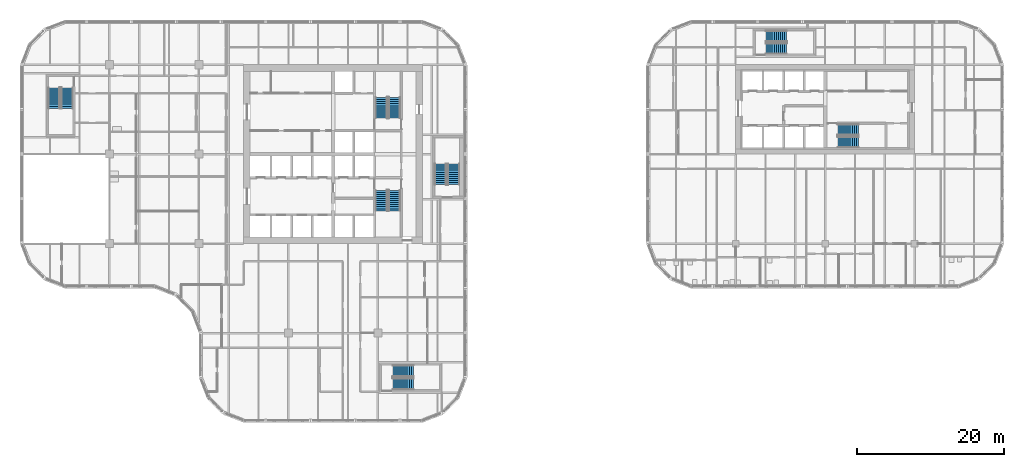
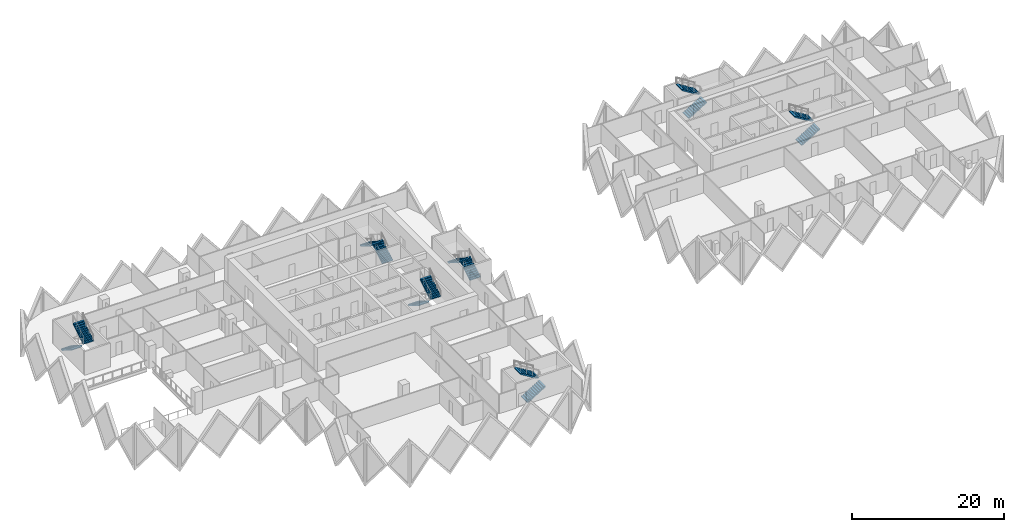
# One storey, part 17 of 20: 14 stair flights, 7 elements without a shape of their own.
"""IFC4 building model written with IfcOpenShell, lengths in metres."""

from ifc_helpers import new_model, si_unit, direction, frame, origin, place, context, subcontext, project, spatial, polyline, outline, extrude, material, type_object, element, aggregate, save


model = new_model("IFC4")

# Units and contexts
model_context = context("Model", 3, precision=1e-05, world=origin(), true_north=direction((0.0, 1.0)))
body_context = subcontext(model_context, "Body", "Model", "MODEL_VIEW")
ifc_project = project(units=[si_unit("LENGTHUNIT", "METRE"), si_unit("AREAUNIT", "SQUARE_METRE"), si_unit("VOLUMEUNIT", "CUBIC_METRE"), si_unit("PLANEANGLEUNIT", "RADIAN"), si_unit("MASSUNIT", "GRAM", prefix="KILO")], contexts=[model_context])

# Site, building, storey
site_placement = place(None, origin())
site = spatial("IfcSite", under=ifc_project, at=site_placement, CompositionType="ELEMENT")
building_placement = place(site_placement, origin())
building = spatial("IfcBuilding", under=site, at=building_placement, Name="Tessera Gate Towers", CompositionType="ELEMENT")
storey_placement = place(building_placement, frame((0.0, 0.0, 48.60009765625)))
storey = spatial("IfcBuildingStorey", under=building, at=storey_placement, Name="L11", CompositionType="ELEMENT", Elevation=48.60009765625)

# Stair, stair flights
ifc_material_1 = material(Name="Concrete C40/50", Category="concrete")
stair_type_1 = type_object("IfcStairType", Name="EXIT STAIR ST1 1600", PredefinedType="HALF_TURN_STAIR", material=ifc_material_1)
stair_1_placement = place(storey_placement, origin())
stair_1 = element("IfcStair", 1, at=stair_1_placement, inside=storey, type_object=stair_type_1, Name="L11 Protected Exit Stair ST1", PredefinedType="HALF_TURN_STAIR")
ifc_material_2 = material(Name="Concrete C40/50", Category="concrete")
stair_flight_type_1 = type_object("IfcStairFlightType", Name="EXIT STAIR FLIGHT ST1 1600", PredefinedType="STRAIGHT", material=ifc_material_2)
stair_flight_1_placement = place(storey_placement, frame((49.27490234375, 31.675048828125, 0.0), z_axis=(0.0, 0.0, 1.0), x_axis=(0.0, -1.0, 0.0)))
stair_flight_1 = element("IfcStairFlight", 2, at=stair_flight_1_placement, type_object=stair_flight_type_1, Name="ST1 flight 1", NumberOfRisers=11, NumberOfTreads=10, PredefinedType="STRAIGHT", RiserHeight=0.172727273, TreadLength=0.28, context=body_context, shape_type="SweptSolid", body=[
    extrude(outline(polyline([(0.0, 0.0), (0.0, 0.172607421875), (0.280029296875, 0.172607421875), (0.280029296875, 0.345458984375), (0.56005859375, 0.345458984375), (0.56005859375, 0.51806640625), (0.840087890625, 0.51806640625), (0.840087890625, 0.69091796875), (1.1201171875, 0.69091796875), (1.1201171875, 0.863525390625), (1.39990234375, 0.863525390625), (1.39990234375, 1.036376953125), (1.679931640625, 1.036376953125), (1.679931640625, 1.208984375), (1.9599609375, 1.208984375), (1.9599609375, 1.3818359375), (2.239990234375, 1.3818359375), (2.239990234375, 1.554443359375), (2.52001953125, 1.554443359375), (2.52001953125, 1.727294921875), (2.800048828125, 1.727294921875), (2.800048828125, 1.89990234375), (2.800048828125, 1.551025390625), (0.285400390625, 0.0), (0.0, 0.0)])), frame((0.0, 0.800048828125, 0.0), z_axis=(0.0, -1.0, 0.0), x_axis=(1.0, 0.0, 0.0)), (0.0, 0.0, 1.0), 1.60009765625),
])
stair_flight_2_placement = place(storey_placement, frame((51.074951171875, 28.875, 1.89990234375), z_axis=(0.0, 0.0, 1.0), x_axis=(0.0, 1.0, 0.0)))
stair_flight_2 = element("IfcStairFlight", 3, at=stair_flight_2_placement, type_object=stair_flight_type_1, Name="ST1 flight 2", NumberOfRisers=11, NumberOfTreads=10, PredefinedType="STRAIGHT", RiserHeight=0.172727273, TreadLength=0.28, context=body_context, shape_type="SweptSolid", body=[
    extrude(outline(polyline([(0.0, 0.0), (0.0, 0.172607421875), (0.280029296875, 0.172607421875), (0.280029296875, 0.345458984375), (0.56005859375, 0.345458984375), (0.56005859375, 0.51806640625), (0.840087890625, 0.51806640625), (0.840087890625, 0.69091796875), (1.1201171875, 0.69091796875), (1.1201171875, 0.863525390625), (1.39990234375, 0.863525390625), (1.39990234375, 1.036376953125), (1.679931640625, 1.036376953125), (1.679931640625, 1.208984375), (1.9599609375, 1.208984375), (1.9599609375, 1.3818359375), (2.239990234375, 1.3818359375), (2.239990234375, 1.554443359375), (2.52001953125, 1.554443359375), (2.52001953125, 1.727294921875), (2.800048828125, 1.727294921875), (2.800048828125, 1.89990234375), (2.800048828125, 1.551025390625), (0.285400390625, 0.0), (0.0, 0.0)])), frame((0.0, 0.800048828125, 0.0), z_axis=(0.0, -1.0, 0.0), x_axis=(1.0, 0.0, 0.0)), (0.0, 0.0, 1.0), 1.60009765625),
])
aggregate(stair_1, [stair_flight_1, stair_flight_2])

ifc_material_3 = material(Name="Concrete C40/50", Category="concrete")
stair_type_2 = type_object("IfcStairType", Name="EXIT STAIR ST2 1600", PredefinedType="HALF_TURN_STAIR", material=ifc_material_3)
stair_2_placement = place(storey_placement, origin())
stair_2 = element("IfcStair", 4, at=stair_2_placement, inside=storey, type_object=stair_type_2, Name="L11 Protected Exit Stair ST2", PredefinedType="HALF_TURN_STAIR")
ifc_material_4 = material(Name="Concrete C40/50", Category="concrete")
stair_flight_type_2 = type_object("IfcStairFlightType", Name="EXIT STAIR FLIGHT ST2 1600", PredefinedType="STRAIGHT", material=ifc_material_4)
stair_flight_3_placement = place(storey_placement, frame((51.074951171875, 41.52490234375, 0.0), z_axis=(0.0, 0.0, 1.0), x_axis=(0.0, 1.0, 0.0)))
stair_flight_3 = element("IfcStairFlight", 5, at=stair_flight_3_placement, type_object=stair_flight_type_2, Name="ST2 flight 1", NumberOfRisers=11, NumberOfTreads=10, PredefinedType="STRAIGHT", RiserHeight=0.172727273, TreadLength=0.28, context=body_context, shape_type="SweptSolid", body=[
    extrude(outline(polyline([(0.0, 0.0), (0.0, 0.172607421875), (0.280029296875, 0.172607421875), (0.280029296875, 0.345458984375), (0.56005859375, 0.345458984375), (0.56005859375, 0.51806640625), (0.840087890625, 0.51806640625), (0.840087890625, 0.69091796875), (1.1201171875, 0.69091796875), (1.1201171875, 0.863525390625), (1.39990234375, 0.863525390625), (1.39990234375, 1.036376953125), (1.679931640625, 1.036376953125), (1.679931640625, 1.208984375), (1.9599609375, 1.208984375), (1.9599609375, 1.3818359375), (2.239990234375, 1.3818359375), (2.239990234375, 1.554443359375), (2.52001953125, 1.554443359375), (2.52001953125, 1.727294921875), (2.800048828125, 1.727294921875), (2.800048828125, 1.89990234375), (2.800048828125, 1.551025390625), (0.285400390625, 0.0), (0.0, 0.0)])), frame((0.0, 0.800048828125, 0.0), z_axis=(0.0, -1.0, 0.0), x_axis=(1.0, 0.0, 0.0)), (0.0, 0.0, 1.0), 1.60009765625),
])
stair_flight_4_placement = place(storey_placement, frame((49.27490234375, 44.324951171875, 1.89990234375), z_axis=(0.0, 0.0, 1.0), x_axis=(0.0, -1.0, 0.0)))
stair_flight_4 = element("IfcStairFlight", 6, at=stair_flight_4_placement, type_object=stair_flight_type_2, Name="ST2 flight 2", NumberOfRisers=11, NumberOfTreads=10, PredefinedType="STRAIGHT", RiserHeight=0.172727273, TreadLength=0.28, context=body_context, shape_type="SweptSolid", body=[
    extrude(outline(polyline([(0.0, 0.0), (0.0, 0.172607421875), (0.280029296875, 0.172607421875), (0.280029296875, 0.345458984375), (0.56005859375, 0.345458984375), (0.56005859375, 0.51806640625), (0.840087890625, 0.51806640625), (0.840087890625, 0.69091796875), (1.1201171875, 0.69091796875), (1.1201171875, 0.863525390625), (1.39990234375, 0.863525390625), (1.39990234375, 1.036376953125), (1.679931640625, 1.036376953125), (1.679931640625, 1.208984375), (1.9599609375, 1.208984375), (1.9599609375, 1.3818359375), (2.239990234375, 1.3818359375), (2.239990234375, 1.554443359375), (2.52001953125, 1.554443359375), (2.52001953125, 1.727294921875), (2.800048828125, 1.727294921875), (2.800048828125, 1.89990234375), (2.800048828125, 1.551025390625), (0.285400390625, 0.0), (0.0, 0.0)])), frame((0.0, 0.800048828125, 0.0), z_axis=(0.0, -1.0, 0.0), x_axis=(1.0, 0.0, 0.0)), (0.0, 0.0, 1.0), 1.60009765625),
])
aggregate(stair_2, [stair_flight_3, stair_flight_4])

ifc_material_5 = material(Name="Concrete C40/50", Category="concrete")
stair_type_3 = type_object("IfcStairType", Name="EXIT STAIR ST3 1600", PredefinedType="HALF_TURN_STAIR", material=ifc_material_5)
stair_3_placement = place(storey_placement, origin())
stair_3 = element("IfcStair", 7, at=stair_3_placement, inside=storey, type_object=stair_type_3, Name="L11 West Exit Stair ST3", PredefinedType="HALF_TURN_STAIR")
ifc_material_6 = material(Name="Concrete C40/50", Category="concrete")
stair_flight_type_3 = type_object("IfcStairFlightType", Name="EXIT STAIR FLIGHT ST3 1600", PredefinedType="STRAIGHT", material=ifc_material_6)
stair_flight_5_placement = place(storey_placement, frame((4.64990234375, 45.64990234375, 0.0), z_axis=(0.0, 0.0, 1.0), x_axis=(0.0, -1.0, 0.0)))
stair_flight_5 = element("IfcStairFlight", 8, at=stair_flight_5_placement, type_object=stair_flight_type_3, Name="ST3 flight 1", NumberOfRisers=11, NumberOfTreads=10, PredefinedType="STRAIGHT", RiserHeight=0.172727273, TreadLength=0.28, context=body_context, shape_type="SweptSolid", body=[
    extrude(outline(polyline([(0.0, 0.0), (0.0, 0.172607421875), (0.280029296875, 0.172607421875), (0.280029296875, 0.345458984375), (0.56005859375, 0.345458984375), (0.56005859375, 0.51806640625), (0.840087890625, 0.51806640625), (0.840087890625, 0.69091796875), (1.1201171875, 0.69091796875), (1.1201171875, 0.863525390625), (1.39990234375, 0.863525390625), (1.39990234375, 1.036376953125), (1.679931640625, 1.036376953125), (1.679931640625, 1.208984375), (1.9599609375, 1.208984375), (1.9599609375, 1.3818359375), (2.239990234375, 1.3818359375), (2.239990234375, 1.554443359375), (2.52001953125, 1.554443359375), (2.52001953125, 1.727294921875), (2.800048828125, 1.727294921875), (2.800048828125, 1.89990234375), (2.800048828125, 1.551025390625), (0.285400390625, 0.0), (0.0, 0.0)])), frame((0.0, 0.800048828125, 0.0), z_axis=(0.0, -1.0, 0.0), x_axis=(1.0, 0.0, 0.0)), (0.0, 0.0, 1.0), 1.60009765625),
])
stair_flight_6_placement = place(storey_placement, frame((6.449951171875, 42.85009765625, 1.89990234375), z_axis=(0.0, 0.0, 1.0), x_axis=(0.0, 1.0, 0.0)))
stair_flight_6 = element("IfcStairFlight", 9, at=stair_flight_6_placement, type_object=stair_flight_type_3, Name="ST3 flight 2", NumberOfRisers=11, NumberOfTreads=10, PredefinedType="STRAIGHT", RiserHeight=0.172727273, TreadLength=0.28, context=body_context, shape_type="SweptSolid", body=[
    extrude(outline(polyline([(0.0, 0.0), (0.0, 0.172607421875), (0.280029296875, 0.172607421875), (0.280029296875, 0.345458984375), (0.56005859375, 0.345458984375), (0.56005859375, 0.51806640625), (0.840087890625, 0.51806640625), (0.840087890625, 0.69091796875), (1.1201171875, 0.69091796875), (1.1201171875, 0.863525390625), (1.39990234375, 0.863525390625), (1.39990234375, 1.036376953125), (1.679931640625, 1.036376953125), (1.679931640625, 1.208984375), (1.9599609375, 1.208984375), (1.9599609375, 1.3818359375), (2.239990234375, 1.3818359375), (2.239990234375, 1.554443359375), (2.52001953125, 1.554443359375), (2.52001953125, 1.727294921875), (2.800048828125, 1.727294921875), (2.800048828125, 1.89990234375), (2.800048828125, 1.551025390625), (0.285400390625, 0.0), (0.0, 0.0)])), frame((0.0, 0.800048828125, 0.0), z_axis=(0.0, -1.0, 0.0), x_axis=(1.0, 0.0, 0.0)), (0.0, 0.0, 1.0), 1.60009765625),
])
aggregate(stair_3, [stair_flight_5, stair_flight_6])

ifc_material_7 = material(Name="Concrete C40/50", Category="concrete")
stair_type_4 = type_object("IfcStairType", Name="EXIT STAIR ST4 1600", PredefinedType="HALF_TURN_STAIR", material=ifc_material_7)
stair_4_placement = place(storey_placement, origin())
stair_4 = element("IfcStair", 10, at=stair_4_placement, inside=storey, type_object=stair_type_4, Name="L11 South Exit Stair ST4", PredefinedType="HALF_TURN_STAIR")
ifc_material_8 = material(Name="Concrete C40/50", Category="concrete")
stair_flight_type_4 = type_object("IfcStairFlightType", Name="EXIT STAIR FLIGHT ST4 1600", PredefinedType="STRAIGHT", material=ifc_material_8)
stair_flight_7_placement = place(storey_placement, frame((50.85009765625, 5.25, 0.0), z_axis=(0.0, 0.0, 1.0), x_axis=(1.0, 0.0, 0.0)))
stair_flight_7 = element("IfcStairFlight", 11, at=stair_flight_7_placement, type_object=stair_flight_type_4, Name="ST4 flight 1", NumberOfRisers=11, NumberOfTreads=10, PredefinedType="STRAIGHT", RiserHeight=0.172727273, TreadLength=0.28, context=body_context, shape_type="SweptSolid", body=[
    extrude(outline(polyline([(0.0, 0.0), (0.0, 0.172607421875), (0.280029296875, 0.172607421875), (0.280029296875, 0.345458984375), (0.56005859375, 0.345458984375), (0.56005859375, 0.51806640625), (0.840087890625, 0.51806640625), (0.840087890625, 0.69091796875), (1.1201171875, 0.69091796875), (1.1201171875, 0.863525390625), (1.39990234375, 0.863525390625), (1.39990234375, 1.036376953125), (1.679931640625, 1.036376953125), (1.679931640625, 1.208984375), (1.9599609375, 1.208984375), (1.9599609375, 1.3818359375), (2.239990234375, 1.3818359375), (2.239990234375, 1.554443359375), (2.52001953125, 1.554443359375), (2.52001953125, 1.727294921875), (2.800048828125, 1.727294921875), (2.800048828125, 1.89990234375), (2.800048828125, 1.551025390625), (0.285400390625, 0.0), (0.0, 0.0)])), frame((0.0, 0.800048828125, 0.0), z_axis=(0.0, -1.0, 0.0), x_axis=(1.0, 0.0, 0.0)), (0.0, 0.0, 1.0), 1.60009765625),
])
stair_flight_8_placement = place(storey_placement, frame((53.64990234375, 7.050048828125, 1.89990234375), z_axis=(0.0, 0.0, 1.0), x_axis=(-1.0, 0.0, 0.0)))
stair_flight_8 = element("IfcStairFlight", 12, at=stair_flight_8_placement, type_object=stair_flight_type_4, Name="ST4 flight 2", NumberOfRisers=11, NumberOfTreads=10, PredefinedType="STRAIGHT", RiserHeight=0.172727273, TreadLength=0.28, context=body_context, shape_type="SweptSolid", body=[
    extrude(outline(polyline([(0.0, 0.0), (0.0, 0.172607421875), (0.280029296875, 0.172607421875), (0.280029296875, 0.345458984375), (0.56005859375, 0.345458984375), (0.56005859375, 0.51806640625), (0.840087890625, 0.51806640625), (0.840087890625, 0.69091796875), (1.1201171875, 0.69091796875), (1.1201171875, 0.863525390625), (1.39990234375, 0.863525390625), (1.39990234375, 1.036376953125), (1.679931640625, 1.036376953125), (1.679931640625, 1.208984375), (1.9599609375, 1.208984375), (1.9599609375, 1.3818359375), (2.239990234375, 1.3818359375), (2.239990234375, 1.554443359375), (2.52001953125, 1.554443359375), (2.52001953125, 1.727294921875), (2.800048828125, 1.727294921875), (2.800048828125, 1.89990234375), (2.800048828125, 1.551025390625), (0.285400390625, 0.0), (0.0, 0.0)])), frame((0.0, 0.800048828125, 0.0), z_axis=(0.0, -1.0, 0.0), x_axis=(1.0, 0.0, 0.0)), (0.0, 0.0, 1.0), 1.60009765625),
])
aggregate(stair_4, [stair_flight_7, stair_flight_8])

ifc_material_9 = material(Name="Concrete C40/50", Category="concrete")
stair_type_5 = type_object("IfcStairType", Name="EXIT STAIR ST5 1600", PredefinedType="HALF_TURN_STAIR", material=ifc_material_9)
stair_5_placement = place(storey_placement, origin())
stair_5 = element("IfcStair", 13, at=stair_5_placement, inside=storey, type_object=stair_type_5, Name="L11 East Exit Stair ST5", PredefinedType="HALF_TURN_STAIR")
ifc_material_10 = material(Name="Concrete C40/50", Category="concrete")
stair_flight_type_5 = type_object("IfcStairFlightType", Name="EXIT STAIR FLIGHT ST5 1600", PredefinedType="STRAIGHT", material=ifc_material_10)
stair_flight_9_placement = place(storey_placement, frame((59.14990234375, 32.449951171875, 0.0), z_axis=(0.0, 0.0, 1.0), x_axis=(0.0, 1.0, 0.0)))
stair_flight_9 = element("IfcStairFlight", 14, at=stair_flight_9_placement, type_object=stair_flight_type_5, Name="ST5 flight 1", NumberOfRisers=11, NumberOfTreads=10, PredefinedType="STRAIGHT", RiserHeight=0.172727273, TreadLength=0.28, context=body_context, shape_type="SweptSolid", body=[
    extrude(outline(polyline([(0.0, 0.0), (0.0, 0.172607421875), (0.280029296875, 0.172607421875), (0.280029296875, 0.345458984375), (0.56005859375, 0.345458984375), (0.56005859375, 0.51806640625), (0.840087890625, 0.51806640625), (0.840087890625, 0.69091796875), (1.1201171875, 0.69091796875), (1.1201171875, 0.863525390625), (1.39990234375, 0.863525390625), (1.39990234375, 1.036376953125), (1.679931640625, 1.036376953125), (1.679931640625, 1.208984375), (1.9599609375, 1.208984375), (1.9599609375, 1.3818359375), (2.239990234375, 1.3818359375), (2.239990234375, 1.554443359375), (2.52001953125, 1.554443359375), (2.52001953125, 1.727294921875), (2.800048828125, 1.727294921875), (2.800048828125, 1.89990234375), (2.800048828125, 1.551025390625), (0.285400390625, 0.0), (0.0, 0.0)])), frame((0.0, 0.800048828125, 0.0), z_axis=(0.0, -1.0, 0.0), x_axis=(1.0, 0.0, 0.0)), (0.0, 0.0, 1.0), 1.60009765625),
])
stair_flight_10_placement = place(storey_placement, frame((57.35009765625, 35.25, 1.89990234375), z_axis=(0.0, 0.0, 1.0), x_axis=(0.0, -1.0, 0.0)))
stair_flight_10 = element("IfcStairFlight", 15, at=stair_flight_10_placement, type_object=stair_flight_type_5, Name="ST5 flight 2", NumberOfRisers=11, NumberOfTreads=10, PredefinedType="STRAIGHT", RiserHeight=0.172727273, TreadLength=0.28, context=body_context, shape_type="SweptSolid", body=[
    extrude(outline(polyline([(0.0, 0.0), (0.0, 0.172607421875), (0.280029296875, 0.172607421875), (0.280029296875, 0.345458984375), (0.56005859375, 0.345458984375), (0.56005859375, 0.51806640625), (0.840087890625, 0.51806640625), (0.840087890625, 0.69091796875), (1.1201171875, 0.69091796875), (1.1201171875, 0.863525390625), (1.39990234375, 0.863525390625), (1.39990234375, 1.036376953125), (1.679931640625, 1.036376953125), (1.679931640625, 1.208984375), (1.9599609375, 1.208984375), (1.9599609375, 1.3818359375), (2.239990234375, 1.3818359375), (2.239990234375, 1.554443359375), (2.52001953125, 1.554443359375), (2.52001953125, 1.727294921875), (2.800048828125, 1.727294921875), (2.800048828125, 1.89990234375), (2.800048828125, 1.551025390625), (0.285400390625, 0.0), (0.0, 0.0)])), frame((0.0, 0.800048828125, 0.0), z_axis=(0.0, -1.0, 0.0), x_axis=(1.0, 0.0, 0.0)), (0.0, 0.0, 1.0), 1.60009765625),
])
aggregate(stair_5, [stair_flight_9, stair_flight_10])

ifc_material_11 = material(Name="Concrete C40/50", Category="concrete")
stair_type_6 = type_object("IfcStairType", Name="EXIT STAIR ST6 1500", PredefinedType="HALF_TURN_STAIR", material=ifc_material_11)
stair_6_placement = place(storey_placement, origin())
stair_6 = element("IfcStair", 16, at=stair_6_placement, inside=storey, type_object=stair_type_6, Name="L11 Protected Exit Stair ST6", PredefinedType="HALF_TURN_STAIR")
ifc_material_12 = material(Name="Concrete C40/50", Category="concrete")
stair_flight_type_6 = type_object("IfcStairFlightType", Name="EXIT STAIR FLIGHT ST6 1500", PredefinedType="STRAIGHT", material=ifc_material_12)
stair_flight_11_placement = place(storey_placement, frame((111.550048828125, 38.25, 0.0), z_axis=(0.0, 0.0, 1.0), x_axis=(1.0, 0.0, 0.0)))
stair_flight_11 = element("IfcStairFlight", 17, at=stair_flight_11_placement, type_object=stair_flight_type_6, Name="ST6 flight 1", NumberOfRisers=11, NumberOfTreads=10, PredefinedType="STRAIGHT", RiserHeight=0.172727273, TreadLength=0.28, context=body_context, shape_type="SweptSolid", body=[
    extrude(outline(polyline([(0.0, 0.0), (0.0, 0.172607421875), (0.280029296875, 0.172607421875), (0.280029296875, 0.345458984375), (0.56005859375, 0.345458984375), (0.56005859375, 0.51806640625), (0.840087890625, 0.51806640625), (0.840087890625, 0.69091796875), (1.1201171875, 0.69091796875), (1.1201171875, 0.863525390625), (1.39990234375, 0.863525390625), (1.39990234375, 1.036376953125), (1.679931640625, 1.036376953125), (1.679931640625, 1.208984375), (1.9599609375, 1.208984375), (1.9599609375, 1.3818359375), (2.239990234375, 1.3818359375), (2.239990234375, 1.554443359375), (2.52001953125, 1.554443359375), (2.52001953125, 1.727294921875), (2.800048828125, 1.727294921875), (2.800048828125, 1.89990234375), (2.800048828125, 1.551025390625), (0.285400390625, 0.0), (0.0, 0.0)])), frame((0.0, 0.75, 0.0), z_axis=(0.0, -1.0, 0.0), x_axis=(1.0, 0.0, 0.0)), (0.0, 0.0, 1.0), 1.5),
])
stair_flight_12_placement = place(storey_placement, frame((114.35009765625, 39.949951171875, 1.89990234375), z_axis=(0.0, 0.0, 1.0), x_axis=(-1.0, 0.0, 0.0)))
stair_flight_12 = element("IfcStairFlight", 18, at=stair_flight_12_placement, type_object=stair_flight_type_6, Name="ST6 flight 2", NumberOfRisers=11, NumberOfTreads=10, PredefinedType="STRAIGHT", RiserHeight=0.172727273, TreadLength=0.28, context=body_context, shape_type="SweptSolid", body=[
    extrude(outline(polyline([(0.0, 0.0), (0.0, 0.172607421875), (0.280029296875, 0.172607421875), (0.280029296875, 0.345458984375), (0.56005859375, 0.345458984375), (0.56005859375, 0.51806640625), (0.840087890625, 0.51806640625), (0.840087890625, 0.69091796875), (1.1201171875, 0.69091796875), (1.1201171875, 0.863525390625), (1.39990234375, 0.863525390625), (1.39990234375, 1.036376953125), (1.679931640625, 1.036376953125), (1.679931640625, 1.208984375), (1.9599609375, 1.208984375), (1.9599609375, 1.3818359375), (2.239990234375, 1.3818359375), (2.239990234375, 1.554443359375), (2.52001953125, 1.554443359375), (2.52001953125, 1.727294921875), (2.800048828125, 1.727294921875), (2.800048828125, 1.89990234375), (2.800048828125, 1.551025390625), (0.285400390625, 0.0), (0.0, 0.0)])), frame((0.0, 0.75, 0.0), z_axis=(0.0, -1.0, 0.0), x_axis=(1.0, 0.0, 0.0)), (0.0, 0.0, 1.0), 1.5),
])
aggregate(stair_6, [stair_flight_11, stair_flight_12])

ifc_material_13 = material(Name="Concrete C40/50", Category="concrete")
stair_type_7 = type_object("IfcStairType", Name="EXIT STAIR ST7 1500", PredefinedType="HALF_TURN_STAIR", material=ifc_material_13)
stair_7_placement = place(storey_placement, origin())
stair_7 = element("IfcStair", 19, at=stair_7_placement, inside=storey, type_object=stair_type_7, Name="L11 North Exit Stair ST7", PredefinedType="HALF_TURN_STAIR")
ifc_material_14 = material(Name="Concrete C40/50", Category="concrete")
stair_flight_type_7 = type_object("IfcStairFlightType", Name="EXIT STAIR FLIGHT ST7 1500", PredefinedType="STRAIGHT", material=ifc_material_14)
stair_flight_13_placement = place(storey_placement, frame((101.75, 51.0, 0.0), z_axis=(0.0, 0.0, 1.0), x_axis=(1.0, 0.0, 0.0)))
stair_flight_13 = element("IfcStairFlight", 20, at=stair_flight_13_placement, type_object=stair_flight_type_7, Name="ST7 flight 1", NumberOfRisers=11, NumberOfTreads=10, PredefinedType="STRAIGHT", RiserHeight=0.172727273, TreadLength=0.28, context=body_context, shape_type="SweptSolid", body=[
    extrude(outline(polyline([(0.0, 0.0), (0.0, 0.172607421875), (0.280029296875, 0.172607421875), (0.280029296875, 0.345458984375), (0.56005859375, 0.345458984375), (0.56005859375, 0.51806640625), (0.840087890625, 0.51806640625), (0.840087890625, 0.69091796875), (1.1201171875, 0.69091796875), (1.1201171875, 0.863525390625), (1.39990234375, 0.863525390625), (1.39990234375, 1.036376953125), (1.679931640625, 1.036376953125), (1.679931640625, 1.208984375), (1.9599609375, 1.208984375), (1.9599609375, 1.3818359375), (2.239990234375, 1.3818359375), (2.239990234375, 1.554443359375), (2.52001953125, 1.554443359375), (2.52001953125, 1.727294921875), (2.800048828125, 1.727294921875), (2.800048828125, 1.89990234375), (2.800048828125, 1.551025390625), (0.285400390625, 0.0), (0.0, 0.0)])), frame((0.0, 0.75, 0.0), z_axis=(0.0, -1.0, 0.0), x_axis=(1.0, 0.0, 0.0)), (0.0, 0.0, 1.0), 1.5),
])
stair_flight_14_placement = place(storey_placement, frame((104.550048828125, 52.699951171875, 1.89990234375), z_axis=(0.0, 0.0, 1.0), x_axis=(-1.0, 0.0, 0.0)))
stair_flight_14 = element("IfcStairFlight", 21, at=stair_flight_14_placement, type_object=stair_flight_type_7, Name="ST7 flight 2", NumberOfRisers=11, NumberOfTreads=10, PredefinedType="STRAIGHT", RiserHeight=0.172727273, TreadLength=0.28, context=body_context, shape_type="SweptSolid", body=[
    extrude(outline(polyline([(0.0, 0.0), (0.0, 0.172607421875), (0.280029296875, 0.172607421875), (0.280029296875, 0.345458984375), (0.56005859375, 0.345458984375), (0.56005859375, 0.51806640625), (0.840087890625, 0.51806640625), (0.840087890625, 0.69091796875), (1.1201171875, 0.69091796875), (1.1201171875, 0.863525390625), (1.39990234375, 0.863525390625), (1.39990234375, 1.036376953125), (1.679931640625, 1.036376953125), (1.679931640625, 1.208984375), (1.9599609375, 1.208984375), (1.9599609375, 1.3818359375), (2.239990234375, 1.3818359375), (2.239990234375, 1.554443359375), (2.52001953125, 1.554443359375), (2.52001953125, 1.727294921875), (2.800048828125, 1.727294921875), (2.800048828125, 1.89990234375), (2.800048828125, 1.551025390625), (0.285400390625, 0.0), (0.0, 0.0)])), frame((0.0, 0.75, 0.0), z_axis=(0.0, -1.0, 0.0), x_axis=(1.0, 0.0, 0.0)), (0.0, 0.0, 1.0), 1.5),
])
aggregate(stair_7, [stair_flight_13, stair_flight_14])

save(model, "model.ifc")
